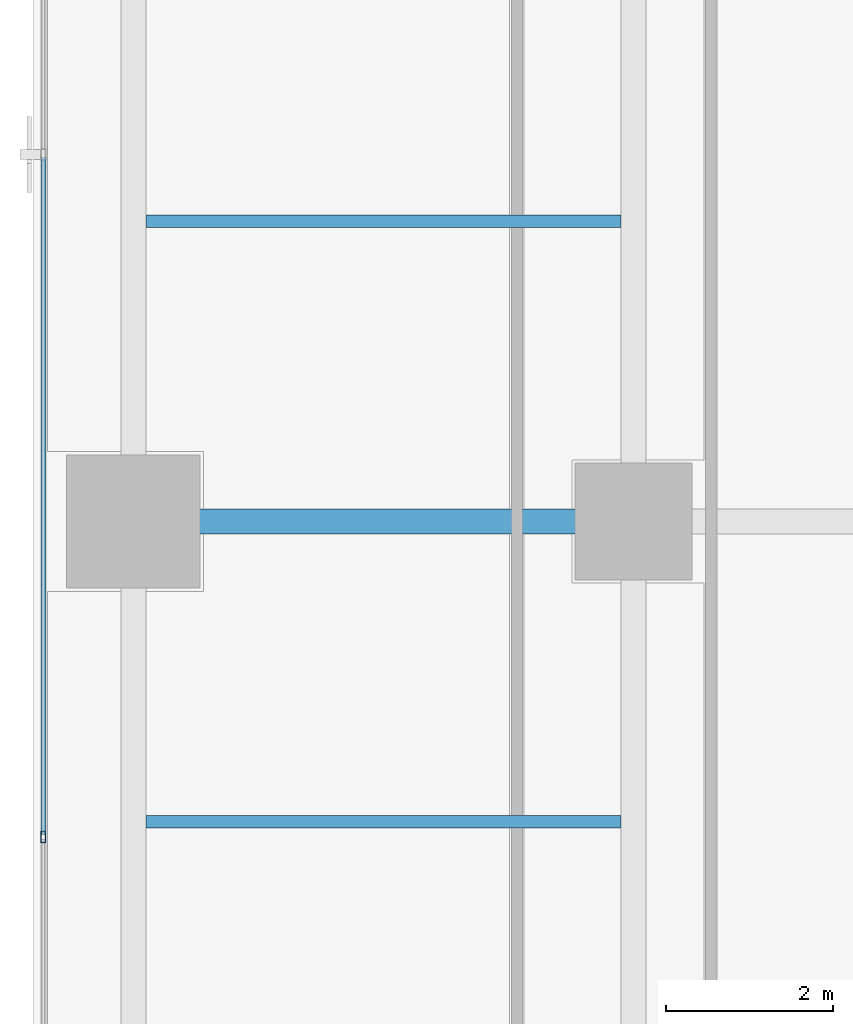
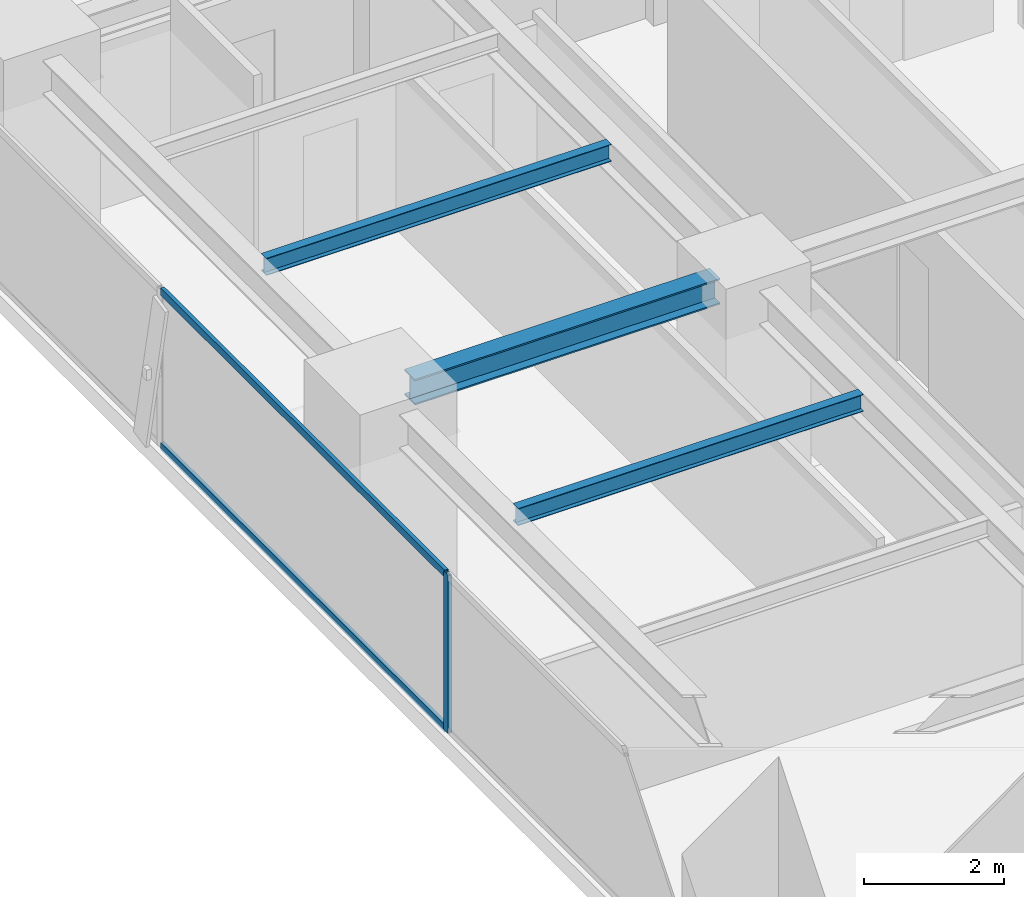
# One storey, part 4 of 30: 3 beams, 3 members, 1 element without a shape of its own.
"""IFC4 building model written with IfcOpenShell, lengths in metres."""

from ifc_helpers import new_model, si_unit, direction, frame, origin, origin_2d, place, context, subcontext, project, spatial, hollow_rectangle, i_section, extrude, source, transform, mapped, material, layer, layer_set, material_profile, profile_set, type_object, element, aggregate, save


model = new_model("IFC4")

# Units and contexts
model_context = context("Model", 3, precision=1e-05, world=origin(), true_north=direction((0.0, 1.0)))
body_context = subcontext(model_context, "Body", "Model", "MODEL_VIEW")
ifc_project = project(units=[si_unit("LENGTHUNIT", "METRE"), si_unit("AREAUNIT", "SQUARE_METRE"), si_unit("VOLUMEUNIT", "CUBIC_METRE"), si_unit("PLANEANGLEUNIT", "RADIAN"), si_unit("MASSUNIT", "GRAM", prefix="KILO")], contexts=[model_context])

# Site, building, storey
site_placement = place(None, origin())
site = spatial("IfcSite", under=ifc_project, at=site_placement, CompositionType="ELEMENT")
building_placement = place(site_placement, origin())
building = spatial("IfcBuilding", under=site, at=building_placement, Name="Sumidabori Civic Tower", CompositionType="ELEMENT")
storey_placement = place(building_placement, frame((0.0, 0.0, 196.39990234375)))
storey = spatial("IfcBuildingStorey", under=building, at=storey_placement, Name="L50", CompositionType="ELEMENT", Elevation=196.39990234375)

# Beams
ifc_material_1 = material(Name="Steel SN490", Category="steel")
ifc_material_profile_1 = material_profile(ifc_material_1, i_section(OverallWidth=0.14990234375, OverallDepth=0.300048828125, WebThickness=0.007080078125, FlangeThickness=0.0107421875, at=origin_2d()), Name="IPE 300")
ifc_profile_set_1 = profile_set([ifc_material_profile_1], Name="Steel SN490")
beam_type_1 = type_object("IfcBeamType", Name="BM-JST-300", PredefinedType="JOIST", material=ifc_profile_set_1)
shared_shape_1 = source(origin(), body_context, "Body", "SweptSolid", [
    extrude(i_section(OverallWidth=0.14990234375, OverallDepth=0.300048828125, WebThickness=0.007080078125, FlangeThickness=0.0107421875, at=origin_2d()), origin(), (0.0, 0.0, 1.0), 5.699951171875),
])
for number, where, z_axis, x_axis, name in (
    (1, (-22.64990234375, -3.60009765625, 3.22998046875), (1.0, 0.0, 0.0), (0.0, 1.0, 0.0), "Outer Bay Floor Joist L50 JSTO-27"),
    (2, (-22.64990234375, 3.60009765625, 3.22998046875), (1.0, 0.0, 0.0), (0.0, 1.0, 0.0), "Outer Bay Floor Joist L50 JSTO-29"),
):
    element("IfcBeam", number, at=place(storey_placement, frame(where, z_axis=z_axis, x_axis=x_axis)), inside=storey, type_object=beam_type_1, Name=name, PredefinedType="JOIST", context=body_context, shape_type="MappedRepresentation", body=[
        mapped(shared_shape_1, transform((0.0, 0.0, 0.0), x_axis=(1.0, 0.0, 0.0), y_axis=(0.0, 1.0, 0.0), z_axis=(0.0, 0.0, 1.0), scale=1.0)),
    ])
ifc_material_profile_2 = material_profile(ifc_material_1, i_section(OverallWidth=0.300048828125, OverallDepth=0.449951171875, WebThickness=0.013916015625, FlangeThickness=0.02587890625, at=origin_2d()), Name="HE 450 B")
ifc_profile_set_2 = profile_set([ifc_material_profile_2], Name="Steel SN490")
beam_type_2 = type_object("IfcBeamType", Name="BM-GIRD-450", PredefinedType="BEAM", material=ifc_profile_set_2)
shared_shape_2 = source(origin(), body_context, "Body", "SweptSolid", [
    extrude(i_section(OverallWidth=0.300048828125, OverallDepth=0.449951171875, WebThickness=0.013916015625, FlangeThickness=0.02587890625, at=origin_2d()), origin(), (0.0, 0.0, 1.0), 5.0400390625),
])
beam_placement = place(storey_placement, frame((-22.320068359375, 0.0, 3.155029296875), z_axis=(1.0, 0.0, 0.0), x_axis=(0.0, 1.0, 0.0)))
element("IfcBeam", 3, at=beam_placement, inside=storey, type_object=beam_type_2, Name="Primary Girder L50 GX-05", PredefinedType="BEAM", context=body_context, shape_type="MappedRepresentation", body=[
    mapped(shared_shape_2, transform((0.0, 0.0, 0.0), x_axis=(1.0, 0.0, 0.0), y_axis=(0.0, 1.0, 0.0), z_axis=(0.0, 0.0, 1.0), scale=1.0)),
])

# Curtain wall, members
ifc_material_2 = material(Name="Anodised Bronze Aluminium AW-6063-T6", Category="aluminium")
ifc_layer = layer(ifc_material_2, 0.179931640625, Name="Anodised Bronze Aluminium AW-6063-T6")
ifc_layer_set = layer_set([ifc_layer], Name="Anodised Bronze Aluminium AW-6063-T6")
curtain_wall_type = type_object("IfcCurtainWallType", Name="CW-SYS-5", PredefinedType="NOTDEFINED", material=ifc_layer_set)
curtain_wall_placement = place(storey_placement, origin())
curtain_wall = element("IfcCurtainWall", 4, at=curtain_wall_placement, inside=storey, type_object=curtain_wall_type, Name="Curtain Wall CW:L50:R16", PredefinedType="NOTDEFINED")
ifc_material_profile_3 = material_profile(ifc_material_2, hollow_rectangle(XDim=0.06005859375, YDim=0.139892578125, WallThickness=0.0048828125, at=origin_2d()), Name="ALU MULLION 140x60")
ifc_profile_set_3 = profile_set([ifc_material_profile_3], Name="Anodised Bronze Aluminium AW-6063-T6")
member_type_1 = type_object("IfcMemberType", Name="CW-MUL-140", PredefinedType="MULLION", material=ifc_profile_set_3)
shared_shape_3 = source(origin(), body_context, "Body", "SweptSolid", [
    extrude(hollow_rectangle(XDim=0.06005859375, YDim=0.139892578125, WallThickness=0.0048828125, at=origin_2d()), origin(), (0.0, 0.0, 1.0), 2.760009765625),
])
member_1_placement = place(storey_placement, frame((-23.8798828125, -3.784912109375, 0.0), z_axis=(0.0, 0.0, 1.0), x_axis=(1.0, 0.0, 0.0)))
member_1 = element("IfcMember", 5, at=member_1_placement, type_object=member_type_1, Name="CW-5 mullion 4", PredefinedType="MULLION", context=body_context, shape_type="MappedRepresentation", body=[
    mapped(shared_shape_3, transform((0.0, 0.0, 0.0), x_axis=(1.0, 0.0, 0.0), y_axis=(0.0, 1.0, 0.0), z_axis=(0.0, 0.0, 1.0), scale=1.0)),
])
ifc_material_profile_4 = material_profile(ifc_material_2, hollow_rectangle(XDim=0.06005859375, YDim=0.1298828125, WallThickness=0.0048828125, at=origin_2d()), Name="ALU TRANSOM 130x60")
ifc_profile_set_4 = profile_set([ifc_material_profile_4], Name="Anodised Bronze Aluminium AW-6063-T6")
member_type_2 = type_object("IfcMemberType", Name="CW-TRN-130", PredefinedType="USERDEFINED", material=ifc_profile_set_4)
shared_shape_4 = source(origin(), body_context, "Body", "SweptSolid", [
    extrude(hollow_rectangle(XDim=0.06005859375, YDim=0.1298828125, WallThickness=0.0048828125, at=origin_2d()), origin(), (0.0, 0.0, 1.0), 8.125),
])
member_2_placement = place(storey_placement, frame((-23.8798828125, 4.3701171875, 0.030029296875), z_axis=(0.0, -1.0, 0.0), x_axis=(1.0, 0.0, 0.0)))
member_2 = element("IfcMember", 6, at=member_2_placement, type_object=member_type_2, Name="CW-5 transom 3.1", ObjectType="TRANSOM", PredefinedType="USERDEFINED", context=body_context, shape_type="MappedRepresentation", body=[
    mapped(shared_shape_4, transform((0.0, 0.0, 0.0), x_axis=(1.0, 0.0, 0.0), y_axis=(0.0, 1.0, 0.0), z_axis=(0.0, 0.0, 1.0), scale=1.0)),
])
member_3_placement = place(storey_placement, frame((-23.8798828125, 4.3701171875, 2.72998046875), z_axis=(0.0, -1.0, 0.0), x_axis=(1.0, 0.0, 0.0)))
member_3 = element("IfcMember", 7, at=member_3_placement, type_object=member_type_2, Name="CW-5 transom 3.2", ObjectType="TRANSOM", PredefinedType="USERDEFINED", context=body_context, shape_type="MappedRepresentation", body=[
    mapped(shared_shape_4, transform((0.0, 0.0, 0.0), x_axis=(1.0, 0.0, 0.0), y_axis=(0.0, 1.0, 0.0), z_axis=(0.0, 0.0, 1.0), scale=1.0)),
])
aggregate(curtain_wall, [member_1, member_2, member_3])

save(model, "model.ifc")
